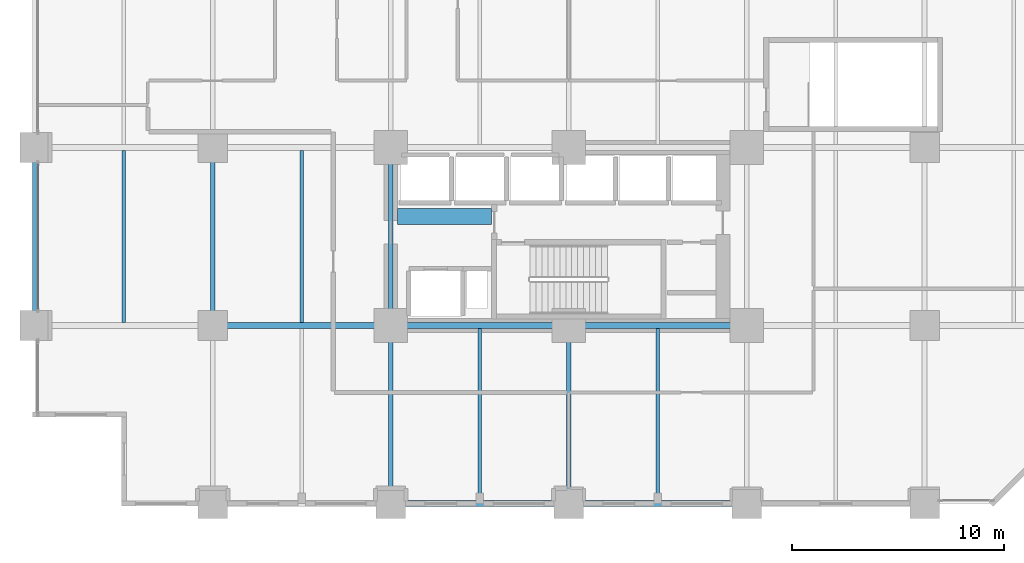
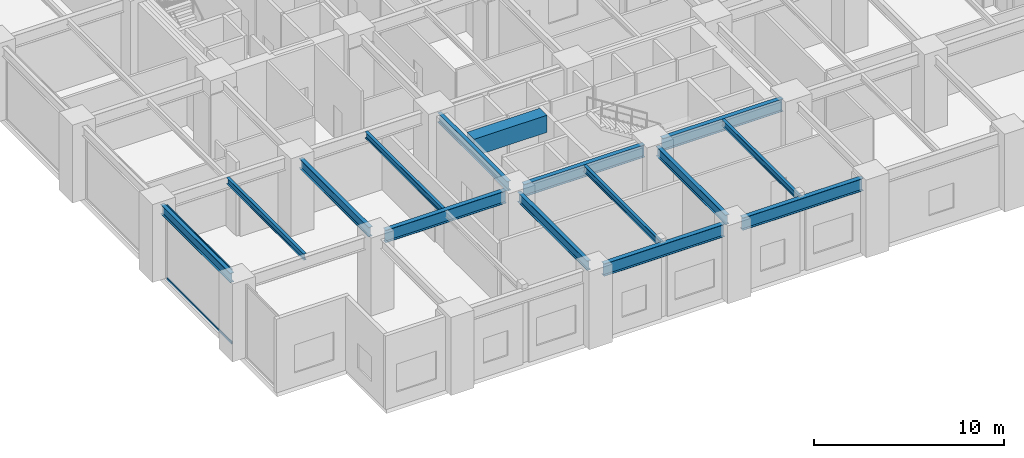
# One storey, part 3 of 21: 15 beams, 2 members, 1 element without a shape of its own.
"""IFC4 building model written with IfcOpenShell, lengths in metres."""

import ifcopenshell
import ifcopenshell.guid

model = None  # the IFC model being written
_history = None  # IfcOwnerHistory: only IFC2X3 demands one
_inside = {}  # id of a spatial element -> (the spatial element, [elements in it])
_under = {}  # id of a project, library or spatial element -> (it, [spatial elements below it])
_declared = {}  # id of a project -> (the project, [libraries it declares])
_typed = {}  # id of a type object -> (the type object, [elements of that type])
_made_of = {}  # id of a material, layer set ... -> (it, [elements and type objects made of it])


def new_model(schema):
    """Start an empty IFC model of exactly this schema.

    Asked for "IFC4X3", IfcOpenShell would pick the latest addendum, in which some entities
    have other attributes; the version numbers below select the first issue.
    IFC2X3 requires an IfcOwnerHistory on every rooted entity: one is made here for all.
    """
    global model, _history
    if schema == "IFC4X3":
        model = ifcopenshell.file(schema_version=(4, 3, 0, 0))
    else:
        model = ifcopenshell.file(schema=schema)
    _inside.clear()
    _under.clear()
    _declared.clear()
    _typed.clear()
    _made_of.clear()
    _history = None
    if model.schema == "IFC2X3":
        org = make("IfcOrganization", Name="unknown")
        user = make(
            "IfcPersonAndOrganization",
            ThePerson=make("IfcPerson", FamilyName="unknown"),
            TheOrganization=org,
        )
        app = make(
            "IfcApplication",
            ApplicationDeveloper=org,
            Version="unknown",
            ApplicationFullName="unknown",
            ApplicationIdentifier="unknown",
        )
        _history = make(
            "IfcOwnerHistory",
            OwningUser=user,
            OwningApplication=app,
            ChangeAction="ADDED",
            CreationDate=0,
        )
    return model


def make(cls, **values):
    """One entity of the class cls with the attributes given. An attribute that is None is left unset."""
    return model.create_entity(
        cls, **{name: value for name, value in values.items() if value is not None}
    )


def rooted(cls, **values):
    """An entity with a GlobalId (a new one), such as an element, a storey or a relation."""
    return make(cls, GlobalId=ifcopenshell.guid.new(), OwnerHistory=_history, **values)


def si_unit(unit_type, name, prefix=None):
    """IfcSIUnit, for example si_unit("LENGTHUNIT", "METRE", prefix="MILLI")."""
    return make("IfcSIUnit", UnitType=unit_type, Prefix=prefix, Name=name)


def assignment(units):
    """IfcUnitAssignment: the units of a project."""
    return None if units is None else make("IfcUnitAssignment", Units=units)


def point(xyz):
    """IfcCartesianPoint."""
    return None if xyz is None else make("IfcCartesianPoint", Coordinates=xyz)


def direction(xyz):
    """IfcDirection."""
    return None if xyz is None else make("IfcDirection", DirectionRatios=xyz)


def frame(location, z_axis=None, x_axis=None):
    """IfcAxis2Placement3D, a coordinate frame: its origin and axes. An axis left out is left unset."""
    return make(
        "IfcAxis2Placement3D",
        Location=point(location),
        Axis=direction(z_axis),
        RefDirection=direction(x_axis),
    )


def frame_2d(location, x_axis=None):
    """IfcAxis2Placement2D, a coordinate frame in the plane: its origin and x axis."""
    return make(
        "IfcAxis2Placement2D", Location=point(location), RefDirection=direction(x_axis)
    )


def origin():
    """The frame at (0, 0, 0) with its axes left unset."""
    return frame((0.0, 0.0, 0.0))


def origin_2d():
    """The frame at (0, 0) in the plane with its x axis left unset."""
    return frame_2d((0.0, 0.0))


def place(relative_to, where):
    """IfcLocalPlacement: puts the frame where relative to a parent placement (None: the world)."""
    return make(
        "IfcLocalPlacement", PlacementRelTo=relative_to, RelativePlacement=where
    )


def context(
    kind, dimensions, precision=None, world=None, true_north=None, identifier=None
):
    """IfcGeometricRepresentationContext, for example the 3D "Model" context."""
    return make(
        "IfcGeometricRepresentationContext",
        ContextIdentifier=identifier,
        ContextType=kind,
        CoordinateSpaceDimension=dimensions,
        Precision=precision,
        WorldCoordinateSystem=world,
        TrueNorth=true_north,
    )


def subcontext(parent, identifier, kind, view, scale=None):
    """IfcGeometricRepresentationSubContext, for example "Body" below "Model"."""
    return make(
        "IfcGeometricRepresentationSubContext",
        ContextIdentifier=identifier,
        ContextType=kind,
        ParentContext=parent,
        TargetScale=scale,
        TargetView=view,
    )


def project(units=None, contexts=None):
    """IfcProject with its units and contexts."""
    return rooted(
        "IfcProject",
        Name="project",
        RepresentationContexts=contexts,
        UnitsInContext=assignment(units),
    )


def spatial(cls, under=None, at=None, **own):
    """A site, building, storey or space (cls), placed at a placement, below another one or the project."""
    s = rooted(cls, ObjectPlacement=at, **own)
    if under is not None:
        _under.setdefault(under.id(), (under, []))[1].append(s)
    return s


def profile(cls, at=None, kind="AREA", **sizes):
    """A parametric profile (cls). Its sizes go by their IFC names, for example OverallWidth=200.0."""
    return make(cls, ProfileType=kind, Position=at, **sizes)


def rectangle(**sizes):
    """IfcRectangleProfileDef."""
    return profile("IfcRectangleProfileDef", **sizes)


def hollow_rectangle(**sizes):
    """IfcRectangleHollowProfileDef."""
    return profile("IfcRectangleHollowProfileDef", **sizes)


def i_section(**sizes):
    """IfcIShapeProfileDef."""
    return profile("IfcIShapeProfileDef", **sizes)


def extrude(swept, where, along, depth):
    """IfcExtrudedAreaSolid: the profile swept, set in the frame where, extruded along a direction by depth."""
    return make(
        "IfcExtrudedAreaSolid",
        SweptArea=swept,
        Position=where,
        ExtrudedDirection=direction(along),
        Depth=depth,
    )


def shape(context_of_items, identifier, shape_type, items):
    """IfcShapeRepresentation: the items that make up one representation, for example the "Body"."""
    return make(
        "IfcShapeRepresentation",
        ContextOfItems=context_of_items,
        RepresentationIdentifier=identifier,
        RepresentationType=shape_type,
        Items=items,
    )


def material(Name=None, Category=None):
    """IfcMaterial."""
    return make("IfcMaterial", Name=Name, Category=Category)


def layer(
    of_material, thickness, ventilated=None, Name=None, Category=None, Priority=None
):
    """IfcMaterialLayer: one layer of a wall or slab, of a material (None: an air gap)."""
    return make(
        "IfcMaterialLayer",
        Material=of_material,
        LayerThickness=thickness,
        IsVentilated=ventilated,
        Name=Name,
        Category=Category,
        Priority=Priority,
    )


def layer_set(layers, Name=None):
    """IfcMaterialLayerSet."""
    return make("IfcMaterialLayerSet", MaterialLayers=layers, LayerSetName=Name)


def material_profile(
    of_material, cross_section, Name=None, Category=None, Priority=None
):
    """IfcMaterialProfile: a cross section and its material."""
    return make(
        "IfcMaterialProfile",
        Name=Name,
        Material=of_material,
        Profile=cross_section,
        Priority=Priority,
        Category=Category,
    )


def profile_set(profiles, Name=None, composite=None):
    """IfcMaterialProfileSet."""
    return make(
        "IfcMaterialProfileSet",
        Name=Name,
        MaterialProfiles=profiles,
        CompositeProfile=composite,
    )


def made_of(thing, what):
    """Note that an element or type object is made of a material, layer set ...; save() writes the relation."""
    if what is not None:
        _made_of.setdefault(what.id(), (what, []))[1].append(thing)
    return thing


def type_object(cls, material=None, **own):
    """A type object (cls), such as IfcWallType, which elements share."""
    return made_of(rooted(cls, **own), material)


def element(
    cls,
    number,
    at=None,
    inside=None,
    cuts=None,
    type_object=None,
    material=None,
    context=None,
    identifier="Body",
    shape_type=None,
    held_by="IfcProductDefinitionShape",
    body=None,
    shapes=None,
    **own,
):
    """One element of the class cls, such as IfcWall. Its Tag is "e" and its number.

    at: its placement. inside: the storey or other place that contains it. cuts: it is an
    opening in that element (IfcRelVoidsElement). A single representation is given by context,
    identifier, shape_type and body (its items); several are given by shapes. held_by: the class
    of the entity that holds the representations. save() writes the other relations.
    """
    e = rooted(cls, Tag="e%d" % number, ObjectPlacement=at, **own)
    if body is not None:
        shapes = [shape(context, identifier, shape_type, body)]
    if shapes is not None:
        e.Representation = make(held_by, Representations=shapes)
    if inside is not None:
        _inside.setdefault(inside.id(), (inside, []))[1].append(e)
    if cuts is not None:
        rooted(
            "IfcRelVoidsElement", RelatingBuildingElement=cuts, RelatedOpeningElement=e
        )
    if type_object is not None:
        _typed.setdefault(type_object.id(), (type_object, []))[1].append(e)
    return made_of(e, material)


def aggregate(whole, parts):
    """IfcRelAggregates: a whole, such as a stair, and the parts it consists of."""
    return rooted("IfcRelAggregates", RelatingObject=whole, RelatedObjects=parts)


def save(model, path):
    """Write the relations noted so far, then the file.

    IfcRelAggregates (storeys below a building ...), IfcRelContainedInSpatialStructure (elements
    in a storey), IfcRelDefinesByType, IfcRelAssociatesMaterial and IfcRelDeclares: one each for
    every whole, place, type object, material and project.
    """
    for whole, parts in _under.values():
        aggregate(whole, parts)
    for where, things in _inside.values():
        rooted(
            "IfcRelContainedInSpatialStructure",
            RelatedElements=things,
            RelatingStructure=where,
        )
    for kind, things in _typed.values():
        rooted("IfcRelDefinesByType", RelatedObjects=things, RelatingType=kind)
    for what, things in _made_of.values():
        rooted("IfcRelAssociatesMaterial", RelatedObjects=things, RelatingMaterial=what)
    for by, libraries in _declared.values():
        rooted("IfcRelDeclares", RelatingContext=by, RelatedDefinitions=libraries)
    model.write(path)


model = new_model("IFC4")

# Units and contexts
model_context = context("Model", 3, precision=1e-05, world=origin(), true_north=direction((0.0, 1.0)))
body_context = subcontext(model_context, "Body", "Model", "MODEL_VIEW")
ifc_project = project(units=[si_unit("LENGTHUNIT", "METRE"), si_unit("AREAUNIT", "SQUARE_METRE"), si_unit("VOLUMEUNIT", "CUBIC_METRE"), si_unit("PLANEANGLEUNIT", "RADIAN"), si_unit("MASSUNIT", "GRAM", prefix="KILO")], contexts=[model_context])

# Site, building, storey
site_placement = place(None, origin())
site = spatial("IfcSite", under=ifc_project, at=site_placement, CompositionType="ELEMENT")
building_placement = place(site_placement, origin())
building = spatial("IfcBuilding", under=site, at=building_placement, Name="Nerrivon Quay Data Exchange", CompositionType="ELEMENT")
storey_placement = place(building_placement, frame((0.0, 0.0, 19.800048828125)))
storey = spatial("IfcBuildingStorey", under=building, at=storey_placement, Name="L04", CompositionType="ELEMENT", Elevation=19.800048828125)

# Beams
ifc_material_1 = material(Name="Concrete S65 (65 MPa)", Category="concrete")
ifc_material_profile_1 = material_profile(ifc_material_1, rectangle(XDim=0.75, YDim=1.10009765625, at=origin_2d()), Name="RC-CB-750x1100")
ifc_profile_set_1 = profile_set([ifc_material_profile_1], Name="Concrete S65 (65 MPa)")
beam_type_1 = type_object("IfcBeamType", Name="BM-CB1-750x1100", PredefinedType="LINTEL", material=ifc_profile_set_1)
beam_1_placement = place(storey_placement, frame((17.125, 13.550048828125, 4.175048828125), z_axis=(1.0, 0.0, 0.0), x_axis=(0.0, 1.0, 0.0)))
element("IfcBeam", 1, at=beam_1_placement, inside=storey, type_object=beam_type_1, Name="L04 East Core Coupling Beam", PredefinedType="LINTEL", context=body_context, shape_type="SweptSolid", body=[
    extrude(rectangle(XDim=0.75, YDim=1.10009765625, at=origin_2d()), origin(), (0.0, 0.0, 1.0), 4.429931640625),
])
ifc_material_2 = material(Name="Steel Grade 350", Category="steel")
ifc_material_profile_2 = material_profile(ifc_material_2, i_section(OverallWidth=0.22900390625, OverallDepth=0.612060546875, WebThickness=0.011962890625, FlangeThickness=0.01953125, FilletRadius=0.013916015625, at=origin_2d()), Name="610UB125")
ifc_profile_set_2 = profile_set([ifc_material_profile_2], Name="Steel Grade 350")
beam_type_2 = type_object("IfcBeamType", Name="BM-G1-610UB125", PredefinedType="BEAM", material=ifc_profile_set_2)
for number, where, z_axis, x_axis, name in (
    (2, (0.0, 8.93994140625, 4.4189453125), (0.0, 1.0, 0.0), (-1.0, 0.0, 0.0), "L04 NS Girder X=0.0 (8.4..16.8)"),
    (3, (8.39990234375, 8.93994140625, 4.4189453125), (0.0, 1.0, 0.0), (-1.0, 0.0, 0.0), "L04 NS Girder X=8.4 (8.4..16.8)"),
    (4, (16.800048828125, 0.5400390625, 4.4189453125), (0.0, 1.0, 0.0), (-1.0, 0.0, 0.0), "L04 NS Girder X=16.8 (0.0..8.4)"),
    (5, (16.800048828125, 8.93994140625, 4.4189453125), (0.0, 1.0, 0.0), (-1.0, 0.0, 0.0), "L04 NS Girder X=16.8 (8.4..16.8)"),
    (6, (25.199951171875, 0.5400390625, 4.4189453125), (0.0, 1.0, 0.0), (-1.0, 0.0, 0.0), "L04 NS Girder X=25.2 (0.0..8.4)"),
):
    element("IfcBeam", number, at=place(storey_placement, frame(where, z_axis=z_axis, x_axis=x_axis)), inside=storey, type_object=beam_type_2, Name=name, PredefinedType="BEAM", context=body_context, shape_type="SweptSolid", body=[
        extrude(i_section(OverallWidth=0.22900390625, OverallDepth=0.612060546875, WebThickness=0.011962890625, FlangeThickness=0.01953125, FilletRadius=0.013916015625, at=origin_2d()), origin(), (0.0, 0.0, 1.0), 7.320068359375),
    ])
ifc_material_profile_3 = material_profile(ifc_material_2, i_section(OverallWidth=0.27490234375, OverallDepth=0.800048828125, WebThickness=0.010009765625, FlangeThickness=0.02001953125, at=origin_2d()), Name="800WB146")
ifc_profile_set_3 = profile_set([ifc_material_profile_3], Name="Steel Grade 350")
beam_type_3 = type_object("IfcBeamType", Name="BM-G8-800WB146", PredefinedType="BEAM", material=ifc_profile_set_3)
beam_2_placement = place(storey_placement, frame((17.340087890625, 0.0, 4.324951171875), z_axis=(1.0, 0.0, 0.0), x_axis=(0.0, 1.0, 0.0)))
element("IfcBeam", 7, at=beam_2_placement, inside=storey, type_object=beam_type_3, Name="L04 EW Girder Y=0.0 (16.8..25.2)", PredefinedType="BEAM", context=body_context, shape_type="SweptSolid", body=[
    extrude(i_section(OverallWidth=0.27490234375, OverallDepth=0.800048828125, WebThickness=0.010009765625, FlangeThickness=0.02001953125, at=origin_2d()), origin(), (0.0, 0.0, 1.0), 7.31982421875),
])
for number, where, z_axis, x_axis, name in (
    (8, (25.739990234375, 0.0, 4.324951171875), (1.0, 0.0, 0.0), (0.0, 1.0, 0.0), "L04 EW Girder Y=0.0 (25.2..33.6)"),
    (9, (8.93994140625, 8.39990234375, 4.324951171875), (1.0, 0.0, 0.0), (0.0, 1.0, 0.0), "L04 EW Girder Y=8.4 (8.4..16.8)"),
):
    element("IfcBeam", number, at=place(storey_placement, frame(where, z_axis=z_axis, x_axis=x_axis)), inside=storey, type_object=beam_type_3, Name=name, PredefinedType="BEAM", context=body_context, shape_type="SweptSolid", body=[
        extrude(i_section(OverallWidth=0.27490234375, OverallDepth=0.800048828125, WebThickness=0.010009765625, FlangeThickness=0.02001953125, at=origin_2d()), origin(), (0.0, 0.0, 1.0), 7.320068359375),
    ])
beam_3_placement = place(storey_placement, frame((17.340087890625, 8.39990234375, 4.324951171875), z_axis=(1.0, 0.0, 0.0), x_axis=(0.0, 1.0, 0.0)))
element("IfcBeam", 10, at=beam_3_placement, inside=storey, type_object=beam_type_3, Name="L04 EW Girder Y=8.4 (16.8..25.2)", PredefinedType="BEAM", context=body_context, shape_type="SweptSolid", body=[
    extrude(i_section(OverallWidth=0.27490234375, OverallDepth=0.800048828125, WebThickness=0.010009765625, FlangeThickness=0.02001953125, at=origin_2d()), origin(), (0.0, 0.0, 1.0), 7.31982421875),
])
beam_4_placement = place(storey_placement, frame((25.739990234375, 8.39990234375, 4.324951171875), z_axis=(1.0, 0.0, 0.0), x_axis=(0.0, 1.0, 0.0)))
element("IfcBeam", 11, at=beam_4_placement, inside=storey, type_object=beam_type_3, Name="L04 EW Girder Y=8.4 (25.2..33.6)", PredefinedType="BEAM", context=body_context, shape_type="SweptSolid", body=[
    extrude(i_section(OverallWidth=0.27490234375, OverallDepth=0.800048828125, WebThickness=0.010009765625, FlangeThickness=0.02001953125, at=origin_2d()), origin(), (0.0, 0.0, 1.0), 7.320068359375),
])
ifc_material_profile_4 = material_profile(ifc_material_2, i_section(OverallWidth=0.177978515625, OverallDepth=0.403076171875, WebThickness=0.007568359375, FlangeThickness=0.010986328125, FilletRadius=0.011474609375, at=origin_2d()), Name="410UB53.7")
ifc_profile_set_4 = profile_set([ifc_material_profile_4], Name="Steel Grade 350")
beam_type_4 = type_object("IfcBeamType", Name="BM-J2-410UB54", PredefinedType="JOIST", material=ifc_profile_set_4)
for number, where, z_axis, x_axis, name in (
    (12, (4.199951171875, 8.53759765625, 4.5234375), (0.0, 1.0, 0.0), (-1.0, 0.0, 0.0), "L04 Secondary Joist X=4.2 (8.4..16.8)"),
    (13, (12.60009765625, 8.53759765625, 4.5234375), (0.0, 1.0, 0.0), (-1.0, 0.0, 0.0), "L04 Secondary Joist X=12.6 (8.4..16.8)"),
    (14, (21.0, 0.137451171875, 4.5234375), (0.0, 1.0, 0.0), (-1.0, 0.0, 0.0), "L04 Secondary Joist X=21.0 (0.0..8.4)"),
    (15, (29.39990234375, 0.137451171875, 4.5234375), (0.0, 1.0, 0.0), (-1.0, 0.0, 0.0), "L04 Secondary Joist X=29.4 (0.0..8.4)"),
):
    element("IfcBeam", number, at=place(storey_placement, frame(where, z_axis=z_axis, x_axis=x_axis)), inside=storey, type_object=beam_type_4, Name=name, PredefinedType="JOIST", context=body_context, shape_type="SweptSolid", body=[
        extrude(i_section(OverallWidth=0.177978515625, OverallDepth=0.403076171875, WebThickness=0.007568359375, FlangeThickness=0.010986328125, FilletRadius=0.011474609375, at=origin_2d()), origin(), (0.0, 0.0, 1.0), 8.125),
    ])

# Curtain wall, members
ifc_material_3 = material(Name="Anodised aluminium 6063-T6", Category="aluminium")
ifc_layer = layer(ifc_material_3, 0.239990234375)
ifc_layer_set = layer_set([ifc_layer], Name="Anodised aluminium 6063-T6")
curtain_wall_type = type_object("IfcCurtainWallType", Name="CW-SYS-03", PredefinedType="NOTDEFINED", material=ifc_layer_set)
curtain_wall_placement = place(storey_placement, origin())
curtain_wall = element("IfcCurtainWall", 16, at=curtain_wall_placement, inside=storey, type_object=curtain_wall_type, Name="L04 Unitised Curtain Wall 14", PredefinedType="NOTDEFINED")
ifc_material_profile_5 = material_profile(ifc_material_3, hollow_rectangle(XDim=0.06494140625, YDim=0.14990234375, WallThickness=0.00341796875, at=origin_2d()), Name="ALU-TRAN-150x65")
ifc_profile_set_5 = profile_set([ifc_material_profile_5], Name="Anodised aluminium 6063-T6")
member_type = type_object("IfcMemberType", Name="CWT-150x65", PredefinedType="USERDEFINED", material=ifc_profile_set_5)
member_1_placement = place(storey_placement, frame((0.139892578125, 9.175048828125, 0.032470703125), z_axis=(0.0, 1.0, 0.0), x_axis=(-1.0, 0.0, 0.0)))
member_1 = element("IfcMember", 17, at=member_1_placement, type_object=member_type, Name="CW03 transom 1.1", ObjectType="TRANSOM", PredefinedType="USERDEFINED", context=body_context, shape_type="SweptSolid", body=[
    extrude(hollow_rectangle(XDim=0.06494140625, YDim=0.14990234375, WallThickness=0.00341796875, at=origin_2d()), origin(), (0.0, 0.0, 1.0), 6.849853515625),
])
member_2_placement = place(storey_placement, frame((0.139892578125, 9.175048828125, 4.6923828125), z_axis=(0.0, 1.0, 0.0), x_axis=(-1.0, 0.0, 0.0)))
member_2 = element("IfcMember", 18, at=member_2_placement, type_object=member_type, Name="CW03 transom 1.2", ObjectType="TRANSOM", PredefinedType="USERDEFINED", context=body_context, shape_type="SweptSolid", body=[
    extrude(hollow_rectangle(XDim=0.06494140625, YDim=0.14990234375, WallThickness=0.00341796875, at=origin_2d()), origin(), (0.0, 0.0, 1.0), 6.849853515625),
])
aggregate(curtain_wall, [member_1, member_2])

save(model, "model.ifc")
